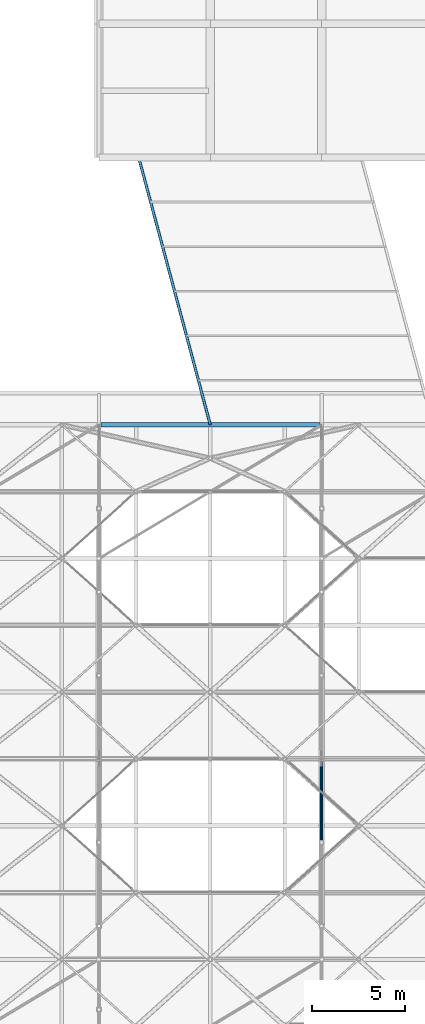
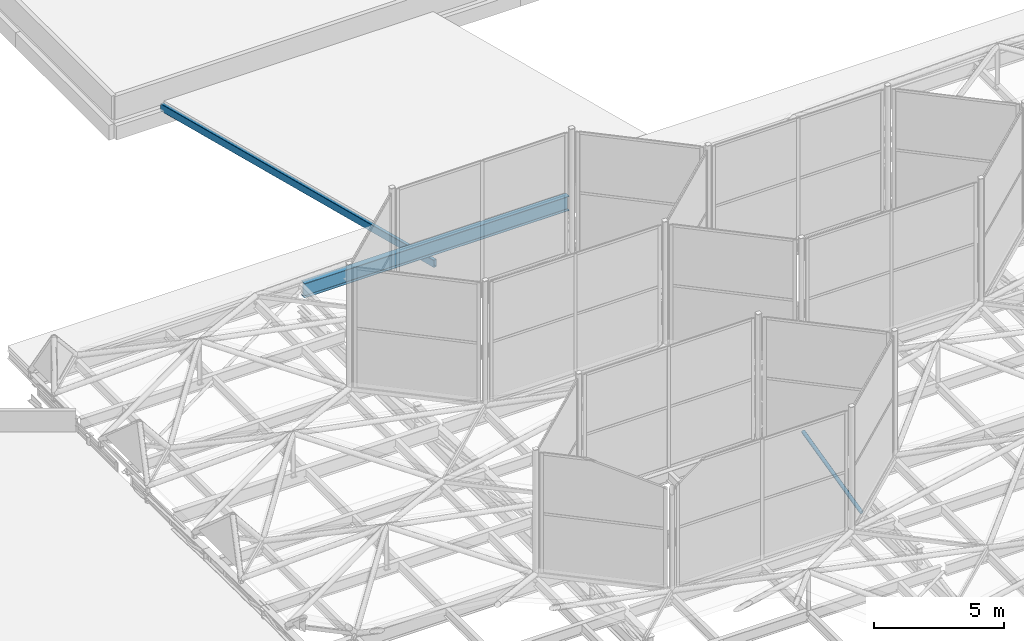
# One storey, part 75 of 239: 2 beams, 1 member.
"""IFC4 building model written with IfcOpenShell, lengths in metres."""

from ifc_helpers import new_model, si_unit, direction, frame, origin, origin_2d, place, context, subcontext, project, spatial, hollow_rectangle, hollow_circle, i_section, extrude, material, material_profile, profile_set, type_object, element, save


model = new_model("IFC4")

# Units and contexts
model_context = context("Model", 3, precision=1e-05, world=origin(), true_north=direction((0.0, 1.0)))
body_context = subcontext(model_context, "Body", "Model", "MODEL_VIEW")
ifc_project = project(units=[si_unit("LENGTHUNIT", "METRE"), si_unit("AREAUNIT", "SQUARE_METRE"), si_unit("VOLUMEUNIT", "CUBIC_METRE"), si_unit("PLANEANGLEUNIT", "RADIAN"), si_unit("MASSUNIT", "GRAM", prefix="KILO")], contexts=[model_context])

# Site, building, storey
site_placement = place(None, origin())
site = spatial("IfcSite", under=ifc_project, at=site_placement, CompositionType="ELEMENT")
building_placement = place(site_placement, origin())
building = spatial("IfcBuilding", under=site, at=building_placement, Name="Dunvalen Ferry Terminal", CompositionType="ELEMENT")
storey_placement = place(building_placement, frame((0.0, 0.0, 9.840087890625)))
storey = spatial("IfcBuildingStorey", under=building, at=storey_placement, Name="L02", CompositionType="ELEMENT", Elevation=9.840087890625)

# Beams
ifc_material = material(Name="Steel S355", Category="steel")
ifc_material_profile_1 = material_profile(ifc_material, hollow_rectangle(XDim=0.14990234375, YDim=0.35009765625, WallThickness=0.010009765625, InnerFilletRadius=0.010009765625, OuterFilletRadius=0.02001953125, at=origin_2d()), Name="Steel S355")
ifc_profile_set_1 = profile_set([ifc_material_profile_1], Name="Steel S355")
beam_type_1 = type_object("IfcBeamType", Name="STR-BM-RHS350", PredefinedType="BEAM", material=ifc_profile_set_1)
beam_1_placement = place(storey_placement, frame((30.0, 86.39990234375, -0.18017578125), z_axis=(-0.258812211902, 0.965927657214, 0.0), x_axis=(-0.965927657214, -0.258812211902, 0.0)))
element("IfcBeam", 1, at=beam_1_placement, inside=storey, type_object=beam_type_1, Name="Boarding Bridge 1 Warren Top Chord 1", PredefinedType="BEAM", context=body_context, shape_type="SweptSolid", body=[
    extrude(hollow_rectangle(XDim=0.14990234375, YDim=0.35009765625, WallThickness=0.010009765625, InnerFilletRadius=0.010009765625, OuterFilletRadius=0.02001953125, at=origin_2d()), origin(), (0.0, 0.0, 1.0), 14.908203125),
])
ifc_material_profile_2 = material_profile(ifc_material, i_section(OverallWidth=0.253662109375, OverallDepth=0.68359375, WebThickness=0.012451171875, FlangeThickness=0.01904296875, FilletRadius=0.01513671875, at=origin_2d()), Name="Steel S355")
ifc_profile_set_2 = profile_set([ifc_material_profile_2], Name="Steel S355")
beam_type_2 = type_object("IfcBeamType", Name="STR-BM-UKB686", PredefinedType="BEAM", material=ifc_profile_set_2)
beam_2_placement = place(storey_placement, frame((24.10009765625, 86.39990234375, 0.658203125), z_axis=(1.0, 0.0, 0.0), x_axis=(0.0, 1.0, 0.0)))
element("IfcBeam", 2, at=beam_2_placement, inside=storey, type_object=beam_type_2, Name="Departure Hall Spine Girder B2.11", PredefinedType="BEAM", context=body_context, shape_type="SweptSolid", body=[
    extrude(i_section(OverallWidth=0.253662109375, OverallDepth=0.68359375, WebThickness=0.012451171875, FlangeThickness=0.01904296875, FilletRadius=0.01513671875, at=origin_2d()), origin(), (0.0, 0.0, 1.0), 11.7998046875),
])

# Member
ifc_material_profile_3 = material_profile(ifc_material, hollow_circle(Radius=0.084228515625, WallThickness=0.008056640625, at=origin_2d()), Name="Steel S355")
ifc_profile_set_3 = profile_set([ifc_material_profile_3], Name="Steel S355")
member_type = type_object("IfcMemberType", Name="STR-MB-CHS168", PredefinedType="BRACE", material=ifc_profile_set_3)
member_placement = place(storey_placement, frame((36.0, 63.89990234375, -0.360107421875), z_axis=(0.0, 0.972383470914, 0.233388914677), x_axis=(-1.0, 0.0, 0.0)))
element("IfcMember", 3, at=member_placement, inside=storey, type_object=member_type, Name="Departure Hall Arch Web Diagonal 03.4", PredefinedType="BRACE", context=body_context, shape_type="SweptSolid", body=[
    extrude(hollow_circle(Radius=0.084228515625, WallThickness=0.008056640625, at=origin_2d()), origin(), (0.0, 0.0, 1.0), 4.627685546875),
])

save(model, "model.ifc")
